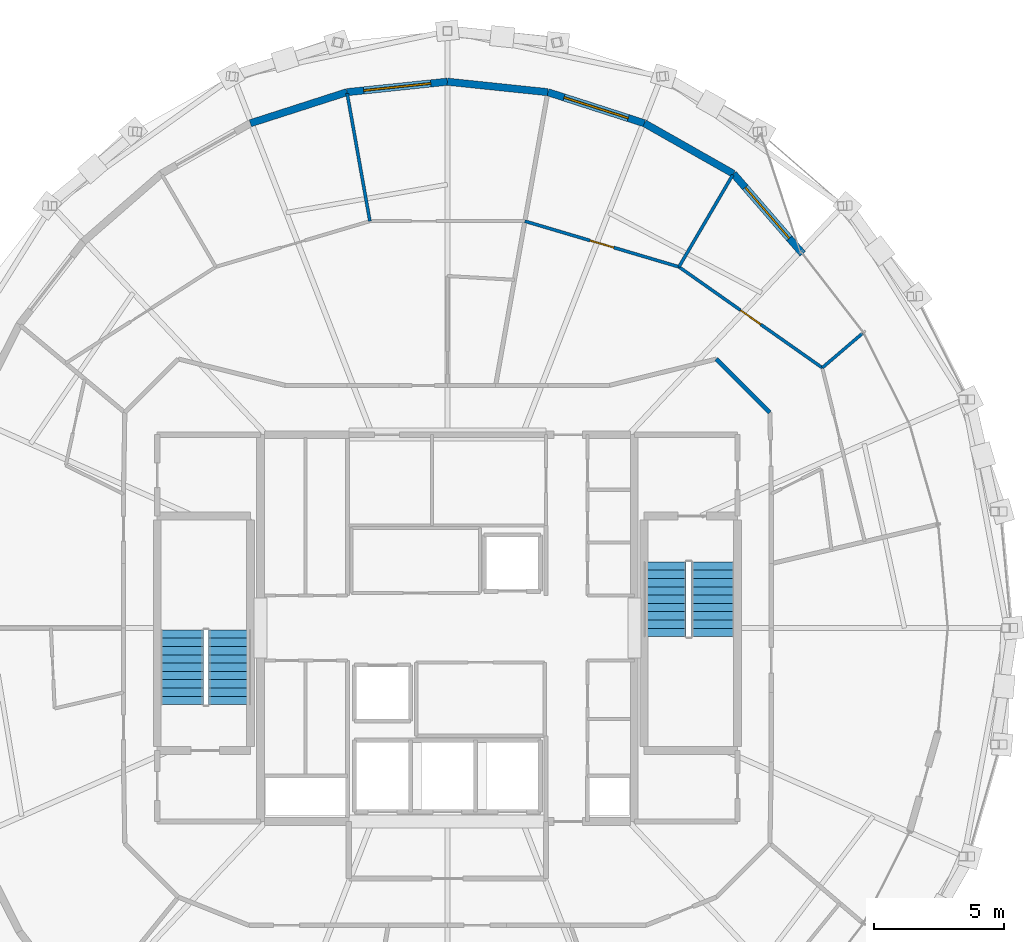
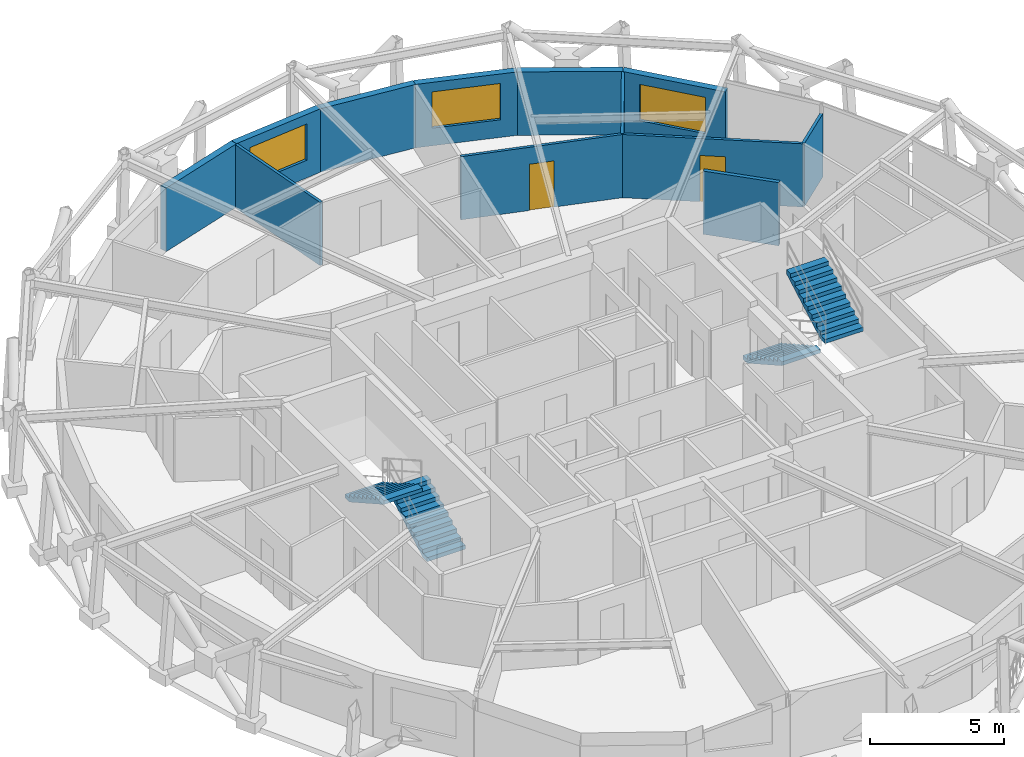
# One storey, part 14 of 15: 12 walls, 4 stair flights, 3 windows, 2 doors, 5 openings, 2 elements without a shape of their own.
"""IFC4 building model written with IfcOpenShell, lengths in metres."""

from ifc_helpers import new_model, si_unit, direction, frame, frame_2d, origin, place, context, subcontext, project, spatial, polyline, rectangle, outline, extrude, material, layer, layer_set, type_object, element, fill, aggregate, save


model = new_model("IFC4")

# Units and contexts
model_context = context("Model", 3, precision=1e-05, world=origin(), true_north=direction((0.0, 1.0)))
body_context = subcontext(model_context, "Body", "Model", "MODEL_VIEW")
ifc_project = project(units=[si_unit("LENGTHUNIT", "METRE"), si_unit("AREAUNIT", "SQUARE_METRE"), si_unit("VOLUMEUNIT", "CUBIC_METRE"), si_unit("PLANEANGLEUNIT", "RADIAN"), si_unit("MASSUNIT", "GRAM", prefix="KILO")], contexts=[model_context])

# Site, building, storey
site_placement = place(None, origin())
site = spatial("IfcSite", under=ifc_project, at=site_placement, CompositionType="ELEMENT")
building_placement = place(site_placement, origin())
building = spatial("IfcBuilding", under=site, at=building_placement, Name="Veldorina Hangang Commons", CompositionType="ELEMENT")
storey_placement = place(building_placement, frame((0.0, 0.0, 265.199951171875)))
storey = spatial("IfcBuildingStorey", under=building, at=storey_placement, Name="L69", CompositionType="ELEMENT", Elevation=265.199951171875)

# Wall, opening, window
ifc_material_1 = material(Name="Stone Roman Travertine", Category="masonry")
ifc_layer_1 = layer(ifc_material_1, 0.280029296875)
ifc_layer_set_1 = layer_set([ifc_layer_1], Name="Stone Roman Travertine")
wall_type_1 = type_object("IfcWallType", Name="EW-TRAV-280", PredefinedType="STANDARD", material=ifc_layer_set_1)
wall_1_placement = place(storey_placement, frame((45.690673828125, 38.41845703125, 0.0), z_axis=(0.0, 0.0, 1.0), x_axis=(-0.65465247958, 0.755929977564, 0.0)))
wall_1 = element("IfcWall", 1, at=wall_1_placement, inside=storey, type_object=wall_type_1, Name="L69 travertine facade wall 04", PredefinedType="STANDARD", context=body_context, shape_type="SweptSolid", body=[
    extrude(rectangle(XDim=4.078857421875, YDim=0.280029296875, at=frame_2d((2.03955078125, 0.0))), origin(), (0.0, 0.0, 1.0), 2.880126953125),
])
opening_1_placement = place(wall_1_placement, frame((0.785400390625, 0.0, 0.800048828125)))
opening_1 = element("IfcOpeningElement", 2, at=opening_1_placement, cuts=wall_1, Name="Opening W-02", PredefinedType="OPENING", context=body_context, shape_type="SweptSolid", body=[
    extrude(rectangle(XDim=2.60009765625, YDim=1.64990234375, at=frame_2d((1.300048828125, 0.824951171875))), frame((0.0, 0.14990234375, 0.0), z_axis=(0.0, -1.0, 0.0), x_axis=(1.0, 0.0, 0.0)), (0.0, 0.0, 1.0), 0.300048828125),
])
ifc_material_2 = material(Name="Glass Low-E Triple IGU", Category="glass")
window_type = type_object("IfcWindowType", Name="WIN-TWR-2600", PartitioningType="SINGLE_PANEL", PredefinedType="WINDOW", material=ifc_material_2)
window_1_placement = place(opening_1_placement, origin())
window_1 = element("IfcWindow", 3, at=window_1_placement, inside=storey, type_object=window_type, Name="L69 facade window 04", OverallHeight=1.64990234375, OverallWidth=2.60009765625, PartitioningType="SINGLE_PANEL", PredefinedType="WINDOW", context=body_context, shape_type="SweptSolid", body=[
    extrude(rectangle(XDim=2.60009765625, YDim=1.64990234375, at=frame_2d((1.300048828125, 0.824951171875))), frame((0.0, 0.030029296875, 0.0), z_axis=(0.0, -1.0, 0.0), x_axis=(1.0, 0.0, 0.0)), (0.0, 0.0, 1.0), 0.06005859375),
])
fill(opening_1, window_1)

# Wall
wall_2_placement = place(storey_placement, frame((43.0205078125, 41.501708984375, 0.0), z_axis=(0.0, 0.0, 1.0), x_axis=(-0.869835312163, 0.49334220346, 0.0)))
element("IfcWall", 4, at=wall_2_placement, inside=storey, type_object=wall_type_1, Name="L69 travertine facade wall 05", PredefinedType="STANDARD", context=body_context, shape_type="SweptSolid", body=[
    extrude(rectangle(XDim=3.942626953125, YDim=0.280029296875, at=frame_2d((1.97119140625, 0.0))), origin(), (0.0, 0.0, 1.0), 2.880126953125),
])

# Wall, opening, window
wall_3_placement = place(storey_placement, frame((39.591064453125, 43.44677734375, 0.0), z_axis=(0.0, 0.0, 1.0), x_axis=(-0.951905022268, 0.306393258053, 0.0)))
wall_3 = element("IfcWall", 5, at=wall_3_placement, inside=storey, type_object=wall_type_1, Name="L69 travertine facade wall 06", PredefinedType="STANDARD", context=body_context, shape_type="SweptSolid", body=[
    extrude(rectangle(XDim=3.9091796875, YDim=0.280029296875, at=frame_2d((1.95458984375, 0.0))), origin(), (0.0, 0.0, 1.0), 2.880126953125),
])
opening_2_placement = place(wall_3_placement, frame((0.654541015625, 0.0, 0.800048828125)))
opening_2 = element("IfcOpeningElement", 6, at=opening_2_placement, cuts=wall_3, Name="Opening W-02", PredefinedType="OPENING", context=body_context, shape_type="SweptSolid", body=[
    extrude(rectangle(XDim=2.60009765625, YDim=1.64990234375, at=frame_2d((1.300048828125, 0.824951171875))), frame((0.0, 0.14990234375, 0.0), z_axis=(0.0, -1.0, 0.0), x_axis=(1.0, 0.0, 0.0)), (0.0, 0.0, 1.0), 0.300048828125),
])
window_2_placement = place(opening_2_placement, origin())
window_2 = element("IfcWindow", 7, at=window_2_placement, inside=storey, type_object=window_type, Name="L69 facade window 06", OverallHeight=1.64990234375, OverallWidth=2.60009765625, PartitioningType="SINGLE_PANEL", PredefinedType="WINDOW", context=body_context, shape_type="SweptSolid", body=[
    extrude(rectangle(XDim=2.60009765625, YDim=1.64990234375, at=frame_2d((1.300048828125, 0.824951171875))), frame((0.0, 0.030029296875, 0.0), z_axis=(0.0, -1.0, 0.0), x_axis=(1.0, 0.0, 0.0)), (0.0, 0.0, 1.0), 0.06005859375),
])
fill(opening_2, window_2)

# Wall
wall_4_placement = place(storey_placement, frame((35.869873046875, 44.64453125, 0.0), z_axis=(0.0, 0.0, 1.0), x_axis=(-0.9945804904, 0.103969457611, 0.0)))
element("IfcWall", 8, at=wall_4_placement, inside=storey, type_object=wall_type_1, Name="L69 travertine facade wall 07", PredefinedType="STANDARD", context=body_context, shape_type="SweptSolid", body=[
    extrude(rectangle(XDim=3.890869140625, YDim=0.280029296875, at=frame_2d((1.9453125, 0.0))), origin(), (0.0, 0.0, 1.0), 2.880126953125),
])

# Wall, opening, window
wall_5_placement = place(storey_placement, frame((32.0, 45.049072265625, 0.0), z_axis=(0.0, 0.0, 1.0), x_axis=(-0.9945804904, -0.103969457611, 0.0)))
wall_5 = element("IfcWall", 9, at=wall_5_placement, inside=storey, type_object=wall_type_1, Name="L69 travertine facade wall 08", PredefinedType="STANDARD", context=body_context, shape_type="SweptSolid", body=[
    extrude(rectangle(XDim=3.890869140625, YDim=0.280029296875, at=frame_2d((1.9453125, 0.0))), origin(), (0.0, 0.0, 1.0), 2.880126953125),
])
opening_3_placement = place(wall_5_placement, frame((0.6455078125, 0.0, 0.800048828125)))
opening_3 = element("IfcOpeningElement", 10, at=opening_3_placement, cuts=wall_5, Name="Opening W-02", PredefinedType="OPENING", context=body_context, shape_type="SweptSolid", body=[
    extrude(rectangle(XDim=2.60009765625, YDim=1.64990234375, at=frame_2d((1.300048828125, 0.824951171875))), frame((0.0, 0.14990234375, 0.0), z_axis=(0.0, -1.0, 0.0), x_axis=(1.0, 0.0, 0.0)), (0.0, 0.0, 1.0), 0.300048828125),
])
window_3_placement = place(opening_3_placement, origin())
window_3 = element("IfcWindow", 11, at=window_3_placement, inside=storey, type_object=window_type, Name="L69 facade window 08", OverallHeight=1.64990234375, OverallWidth=2.60009765625, PartitioningType="SINGLE_PANEL", PredefinedType="WINDOW", context=body_context, shape_type="SweptSolid", body=[
    extrude(rectangle(XDim=2.60009765625, YDim=1.64990234375, at=frame_2d((1.300048828125, 0.824951171875))), frame((0.0, 0.030029296875, 0.0), z_axis=(0.0, -1.0, 0.0), x_axis=(1.0, 0.0, 0.0)), (0.0, 0.0, 1.0), 0.06005859375),
])
fill(opening_3, window_3)

# Walls
wall_6_placement = place(storey_placement, frame((28.130126953125, 44.64453125, 0.0), z_axis=(0.0, 0.0, 1.0), x_axis=(-0.951905022268, -0.306393258053, 0.0)))
element("IfcWall", 12, at=wall_6_placement, inside=storey, type_object=wall_type_1, Name="L69 travertine facade wall 09", PredefinedType="STANDARD", context=body_context, shape_type="SweptSolid", body=[
    extrude(rectangle(XDim=3.9091796875, YDim=0.280029296875, at=frame_2d((1.95458984375, 0.0))), origin(), (0.0, 0.0, 1.0), 2.880126953125),
])
ifc_material_3 = material(Name="Gypsum Fire-Rated Twin Stud Wall", Category="gypsum")
ifc_layer_2 = layer(ifc_material_3, 0.159912109375)
ifc_layer_set_2 = layer_set([ifc_layer_2], Name="Gypsum Fire-Rated Twin Stud Wall")
wall_type_2 = type_object("IfcWallType", Name="WL-FIRE-160", PredefinedType="SOLIDWALL", material=ifc_layer_set_2)
wall_7_placement = place(storey_placement, frame((44.4267578125, 32.30322265625, 0.0), z_axis=(0.0, 0.0, 1.0), x_axis=(-0.707106781187, 0.707106781187, 0.0)))
element("IfcWall", 13, at=wall_7_placement, inside=storey, type_object=wall_type_2, Name="L69 Compact collar outer wall 03 059", PredefinedType="SOLIDWALL", context=body_context, shape_type="SweptSolid", body=[
    extrude(rectangle(XDim=2.915771484375, YDim=0.159912109375, at=frame_2d((1.4580078125, 0.0))), origin(), (0.0, 0.0, 1.0), 2.8701171875),
])

# Wall, opening, door
ifc_material_4 = material(Name="Gypsum Acoustic Stud Partition", Category="gypsum")
ifc_layer_3 = layer(ifc_material_4, 0.1201171875)
ifc_layer_set_3 = layer_set([ifc_layer_3], Name="Gypsum Acoustic Stud Partition")
wall_type_3 = type_object("IfcWallType", Name="WL-PART-120", PredefinedType="PARTITIONING", material=ifc_layer_set_3)
wall_8_placement = place(storey_placement, frame((46.443359375, 34.028076171875, 0.0), z_axis=(0.0, 0.0, 1.0), x_axis=(-0.817775541749, 0.5755372823, 0.0)))
wall_8 = element("IfcWall", 14, at=wall_8_placement, inside=storey, type_object=wall_type_3, Name="L69 Cluster 2 bed 2 front wall 093", PredefinedType="PARTITIONING", context=body_context, shape_type="SweptSolid", body=[
    extrude(rectangle(XDim=6.753662109375, YDim=0.1201171875, at=frame_2d((3.376953125, 0.0))), origin(), (0.0, 0.0, 1.0), 2.8701171875),
])
opening_4_placement = place(wall_8_placement, frame((2.90185546875, 0.0, 0.0)))
opening_4 = element("IfcOpeningElement", 15, at=opening_4_placement, cuts=wall_8, Name="Opening D-02", PredefinedType="OPENING", context=body_context, shape_type="SweptSolid", body=[
    extrude(rectangle(XDim=0.949951171875, YDim=2.10009765625, at=frame_2d((0.47509765625, 1.050048828125))), frame((0.0, 0.070068359375, 0.0), z_axis=(0.0, -1.0, 0.0), x_axis=(1.0, 0.0, 0.0)), (0.0, 0.0, 1.0), 0.14013671875),
])
ifc_material_5 = material(Name="Timber Solid Core Acoustic", Category="wood")
door_type = type_object("IfcDoorType", Name="DR-INT-950", OperationType="SINGLE_SWING_LEFT", PredefinedType="DOOR", material=ifc_material_5)
door_1_placement = place(opening_4_placement, origin())
door_1 = element("IfcDoor", 16, at=door_1_placement, inside=storey, type_object=door_type, Name="L69 Cluster 2 bed 2 door 028", OperationType="SINGLE_SWING_RIGHT", OverallHeight=2.10009765625, OverallWidth=0.949951171875, PredefinedType="DOOR", context=body_context, shape_type="SweptSolid", body=[
    extrude(rectangle(XDim=0.949951171875, YDim=2.10009765625, at=frame_2d((0.47509765625, 1.050048828125))), frame((0.0, 0.02490234375, 0.0), z_axis=(0.0, -1.0, 0.0), x_axis=(1.0, 0.0, 0.0)), (0.0, 0.0, 1.0), 0.050048828125),
])
fill(opening_4, door_1)

# Wall
wall_9_placement = place(storey_placement, frame((46.443359375, 34.028076171875, 0.0), z_axis=(0.0, 0.0, 1.0), x_axis=(0.759976039349, 0.649951090172, 0.0)))
element("IfcWall", 17, at=wall_9_placement, inside=storey, type_object=wall_type_3, Name="L69 Cluster 2 bed divider 1 094", PredefinedType="PARTITIONING", context=body_context, shape_type="SweptSolid", body=[
    extrude(rectangle(XDim=2.03466796875, YDim=0.1201171875, at=frame_2d((1.017333984375, 0.0))), origin(), (0.0, 0.0, 1.0), 2.8701171875),
])

# Wall, opening, door
wall_10_placement = place(storey_placement, frame((40.92041015625, 37.9150390625, 0.0), z_axis=(0.0, 0.0, 1.0), x_axis=(-0.958730048682, 0.284317944833, 0.0)))
wall_10 = element("IfcWall", 18, at=wall_10_placement, inside=storey, type_object=wall_type_3, Name="L69 Cluster 2 bed 3 front wall 095", PredefinedType="PARTITIONING", context=body_context, shape_type="SweptSolid", body=[
    extrude(rectangle(XDim=6.190185546875, YDim=0.1201171875, at=frame_2d((3.09521484375, 0.0))), origin(), (0.0, 0.0, 1.0), 2.8701171875),
])
opening_5_placement = place(wall_10_placement, frame((2.6201171875, 0.0, 0.0)))
opening_5 = element("IfcOpeningElement", 19, at=opening_5_placement, cuts=wall_10, Name="Opening D-02", PredefinedType="OPENING", context=body_context, shape_type="SweptSolid", body=[
    extrude(rectangle(XDim=0.949951171875, YDim=2.10009765625, at=frame_2d((0.47509765625, 1.050048828125))), frame((0.0, 0.070068359375, 0.0), z_axis=(0.0, -1.0, 0.0), x_axis=(1.0, 0.0, 0.0)), (0.0, 0.0, 1.0), 0.14013671875),
])
door_2_placement = place(opening_5_placement, origin())
door_2 = element("IfcDoor", 20, at=door_2_placement, inside=storey, type_object=door_type, Name="L69 Cluster 2 bed 3 door 029", OperationType="SINGLE_SWING_LEFT", OverallHeight=2.10009765625, OverallWidth=0.949951171875, PredefinedType="DOOR", context=body_context, shape_type="SweptSolid", body=[
    extrude(rectangle(XDim=0.949951171875, YDim=2.10009765625, at=frame_2d((0.47509765625, 1.050048828125))), frame((0.0, 0.02490234375, 0.0), z_axis=(0.0, -1.0, 0.0), x_axis=(1.0, 0.0, 0.0)), (0.0, 0.0, 1.0), 0.050048828125),
])
fill(opening_5, door_2)

# Walls
wall_11_placement = place(storey_placement, frame((40.92041015625, 37.9150390625, 0.0), z_axis=(0.0, 0.0, 1.0), x_axis=(0.505267765721, 0.862962620814, 0.0)))
element("IfcWall", 21, at=wall_11_placement, inside=storey, type_object=wall_type_3, Name="L69 Cluster 2 bed divider 2 096", PredefinedType="PARTITIONING", context=body_context, shape_type="SweptSolid", body=[
    extrude(rectangle(XDim=4.106201171875, YDim=0.1201171875, at=frame_2d((2.05322265625, 0.0))), origin(), (0.0, 0.0, 1.0), 2.8701171875),
])
wall_12_placement = place(storey_placement, frame((29.014404296875, 39.675048828125, 0.0), z_axis=(0.0, 0.0, 1.0), x_axis=(-0.175178551936, 0.984536680343, 0.0)))
element("IfcWall", 22, at=wall_12_placement, inside=storey, type_object=wall_type_3, Name="L69 Cluster 3 bed divider 1 102", PredefinedType="PARTITIONING", context=body_context, shape_type="SweptSolid", body=[
    extrude(rectangle(XDim=4.997802734375, YDim=0.1201171875, at=frame_2d((2.4990234375, 0.0))), origin(), (0.0, 0.0, 1.0), 2.8701171875),
])

# Stair, stair flights
ifc_material_6 = material(Name="Concrete C40/50", Category="concrete")
stair_type = type_object("IfcStairType", Name="STR-DOG-1650-20R", PredefinedType="HALF_TURN_STAIR", material=ifc_material_6)
stair_1_placement = place(storey_placement, origin())
stair_1 = element("IfcStair", 23, at=stair_1_placement, inside=storey, type_object=stair_type, Name="L69 Exit stair ST-1", PredefinedType="HALF_TURN_STAIR")
stair_flight_type = type_object("IfcStairFlightType", Name="SFL-STR-1650-20R", PredefinedType="STRAIGHT", material=ifc_material_6)
stair_flight_1_placement = place(storey_placement, frame((23.625, 21.050048828125, 0.0), z_axis=(0.0, 0.0, 1.0), x_axis=(0.0, 1.0, 0.0)))
stair_flight_1 = element("IfcStairFlight", 24, at=stair_flight_1_placement, type_object=stair_flight_type, Name="ST-1 flight 1", NumberOfRisers=10, NumberOfTreads=9, PredefinedType="STRAIGHT", RiserHeight=0.18, TreadLength=0.32, context=body_context, shape_type="SweptSolid", body=[
    extrude(outline(polyline([(0.0, 0.0), (0.0, 0.179931640625), (0.320068359375, 0.179931640625), (0.320068359375, 0.360107421875), (0.639892578125, 0.360107421875), (0.639892578125, 0.5400390625), (0.9599609375, 0.5400390625), (0.9599609375, 0.719970703125), (1.280029296875, 0.719970703125), (1.280029296875, 0.89990234375), (1.60009765625, 0.89990234375), (1.60009765625, 1.080078125), (1.919921875, 1.080078125), (1.919921875, 1.260009765625), (2.239990234375, 1.260009765625), (2.239990234375, 1.43994140625), (2.56005859375, 1.43994140625), (2.56005859375, 1.6201171875), (2.8798828125, 1.6201171875), (2.8798828125, 1.800048828125), (2.8798828125, 1.447998046875), (0.3056640625, 0.0), (0.0, 0.0)])), frame((0.0, 0.824951171875, 0.0), z_axis=(0.0, -1.0, 0.0), x_axis=(1.0, 0.0, 0.0)), (0.0, 0.0, 1.0), 1.64990234375),
])
stair_flight_2_placement = place(storey_placement, frame((21.77490234375, 23.929931640625, 1.800048828125), z_axis=(0.0, 0.0, 1.0), x_axis=(0.0, -1.0, 0.0)))
stair_flight_2 = element("IfcStairFlight", 25, at=stair_flight_2_placement, type_object=stair_flight_type, Name="ST-1 flight 2", NumberOfRisers=10, NumberOfTreads=9, PredefinedType="STRAIGHT", RiserHeight=0.18, TreadLength=0.32, context=body_context, shape_type="SweptSolid", body=[
    extrude(outline(polyline([(0.0, 0.0), (0.0, 0.179931640625), (0.320068359375, 0.179931640625), (0.320068359375, 0.360107421875), (0.639892578125, 0.360107421875), (0.639892578125, 0.5400390625), (0.9599609375, 0.5400390625), (0.9599609375, 0.719970703125), (1.280029296875, 0.719970703125), (1.280029296875, 0.89990234375), (1.60009765625, 0.89990234375), (1.60009765625, 1.080078125), (1.919921875, 1.080078125), (1.919921875, 1.260009765625), (2.239990234375, 1.260009765625), (2.239990234375, 1.43994140625), (2.56005859375, 1.43994140625), (2.56005859375, 1.6201171875), (2.8798828125, 1.6201171875), (2.8798828125, 1.800048828125), (2.8798828125, 1.447998046875), (0.3056640625, 0.0), (0.0, 0.0)])), frame((0.0, 0.824951171875, 0.0), z_axis=(0.0, -1.0, 0.0), x_axis=(1.0, 0.0, 0.0)), (0.0, 0.0, 1.0), 1.64990234375),
])
aggregate(stair_1, [stair_flight_1, stair_flight_2])

stair_2_placement = place(storey_placement, origin())
stair_2 = element("IfcStair", 26, at=stair_2_placement, inside=storey, type_object=stair_type, Name="L69 Exit stair ST-2", PredefinedType="HALF_TURN_STAIR")
stair_flight_3_placement = place(storey_placement, frame((40.375, 26.550048828125, 0.0), z_axis=(0.0, 0.0, 1.0), x_axis=(0.0, -1.0, 0.0)))
stair_flight_3 = element("IfcStairFlight", 27, at=stair_flight_3_placement, type_object=stair_flight_type, Name="ST-2 flight 1", NumberOfRisers=10, NumberOfTreads=9, PredefinedType="STRAIGHT", RiserHeight=0.18, TreadLength=0.32, context=body_context, shape_type="SweptSolid", body=[
    extrude(outline(polyline([(0.0, 0.0), (0.0, 0.179931640625), (0.320068359375, 0.179931640625), (0.320068359375, 0.360107421875), (0.639892578125, 0.360107421875), (0.639892578125, 0.5400390625), (0.9599609375, 0.5400390625), (0.9599609375, 0.719970703125), (1.280029296875, 0.719970703125), (1.280029296875, 0.89990234375), (1.60009765625, 0.89990234375), (1.60009765625, 1.080078125), (1.919921875, 1.080078125), (1.919921875, 1.260009765625), (2.239990234375, 1.260009765625), (2.239990234375, 1.43994140625), (2.56005859375, 1.43994140625), (2.56005859375, 1.6201171875), (2.8798828125, 1.6201171875), (2.8798828125, 1.800048828125), (2.8798828125, 1.447998046875), (0.3056640625, 0.0), (0.0, 0.0)])), frame((0.0, 0.824951171875, 0.0), z_axis=(0.0, -1.0, 0.0), x_axis=(1.0, 0.0, 0.0)), (0.0, 0.0, 1.0), 1.64990234375),
])
stair_flight_4_placement = place(storey_placement, frame((42.22509765625, 23.669921875, 1.800048828125), z_axis=(0.0, 0.0, 1.0), x_axis=(0.0, 1.0, 0.0)))
stair_flight_4 = element("IfcStairFlight", 28, at=stair_flight_4_placement, type_object=stair_flight_type, Name="ST-2 flight 2", NumberOfRisers=10, NumberOfTreads=9, PredefinedType="STRAIGHT", RiserHeight=0.18, TreadLength=0.32, context=body_context, shape_type="SweptSolid", body=[
    extrude(outline(polyline([(0.0, 0.0), (0.0, 0.179931640625), (0.320068359375, 0.179931640625), (0.320068359375, 0.360107421875), (0.639892578125, 0.360107421875), (0.639892578125, 0.5400390625), (0.9599609375, 0.5400390625), (0.9599609375, 0.719970703125), (1.280029296875, 0.719970703125), (1.280029296875, 0.89990234375), (1.60009765625, 0.89990234375), (1.60009765625, 1.080078125), (1.919921875, 1.080078125), (1.919921875, 1.260009765625), (2.239990234375, 1.260009765625), (2.239990234375, 1.43994140625), (2.56005859375, 1.43994140625), (2.56005859375, 1.6201171875), (2.8798828125, 1.6201171875), (2.8798828125, 1.800048828125), (2.8798828125, 1.447998046875), (0.3056640625, 0.0), (0.0, 0.0)])), frame((0.0, 0.824951171875, 0.0), z_axis=(0.0, -1.0, 0.0), x_axis=(1.0, 0.0, 0.0)), (0.0, 0.0, 1.0), 1.64990234375),
])
aggregate(stair_2, [stair_flight_3, stair_flight_4])

save(model, "model.ifc")
